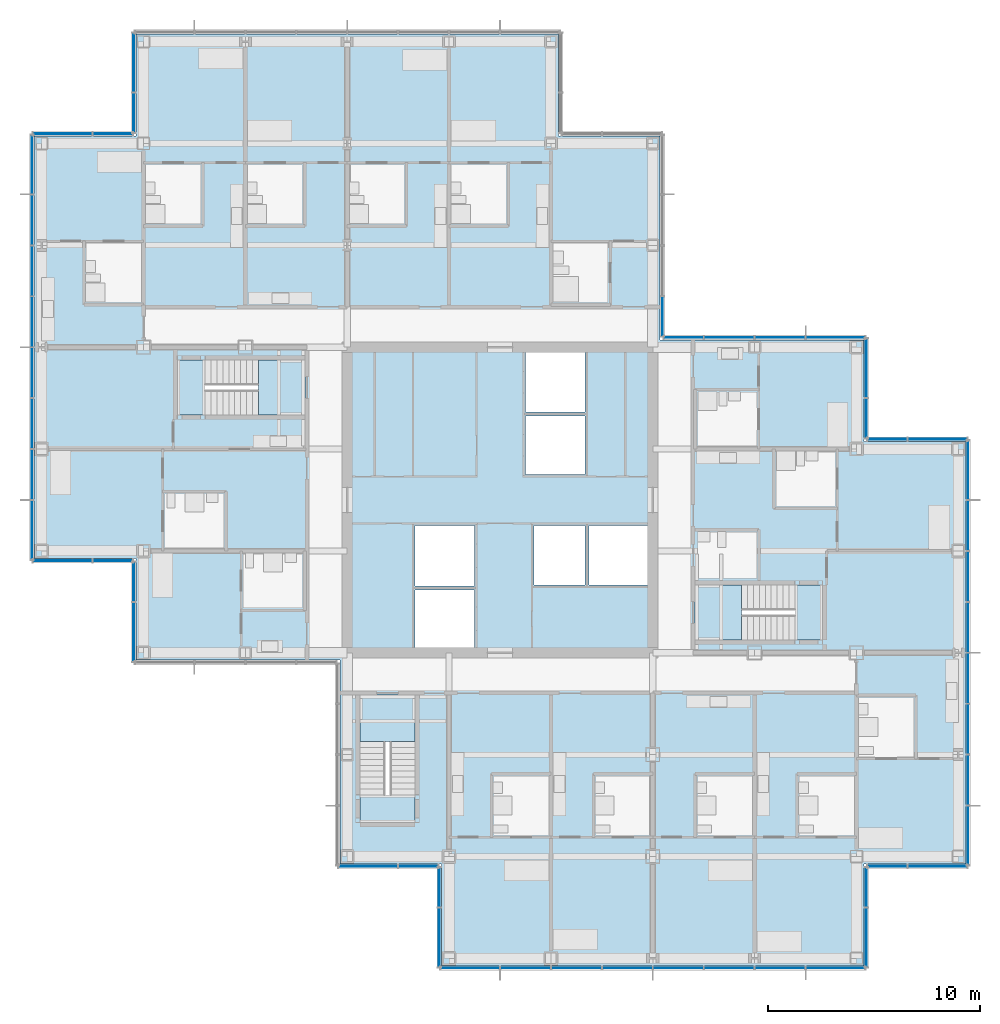
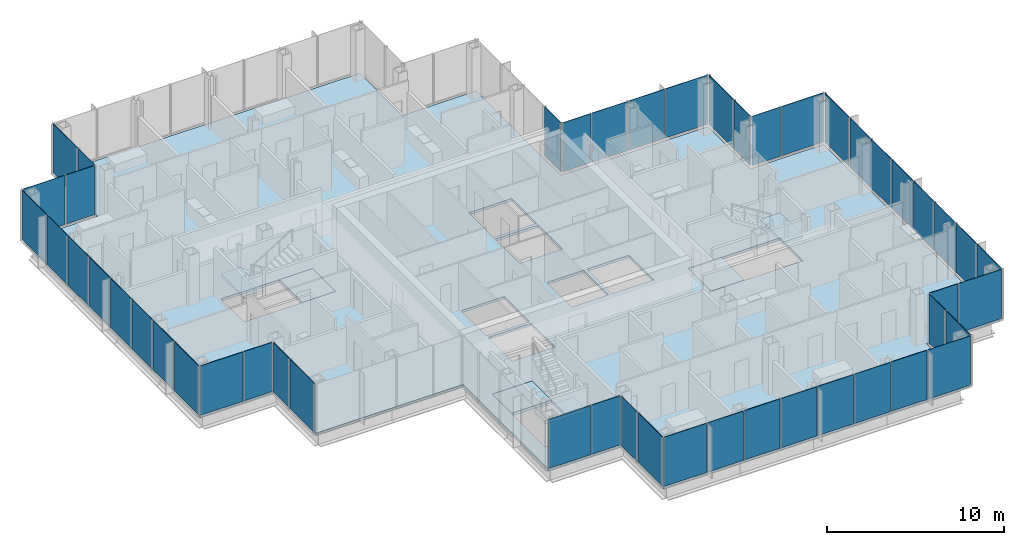
# One storey, part 12 of 20: 49 plates, 7 slabs, 18 elements without a shape of their own.
"""IFC4 building model written with IfcOpenShell, lengths in metres."""

import ifcopenshell
import ifcopenshell.guid

model = None  # the IFC model being written
_history = None  # IfcOwnerHistory: only IFC2X3 demands one
_inside = {}  # id of a spatial element -> (the spatial element, [elements in it])
_under = {}  # id of a project, library or spatial element -> (it, [spatial elements below it])
_declared = {}  # id of a project -> (the project, [libraries it declares])
_typed = {}  # id of a type object -> (the type object, [elements of that type])
_made_of = {}  # id of a material, layer set ... -> (it, [elements and type objects made of it])


def new_model(schema):
    """Start an empty IFC model of exactly this schema.

    Asked for "IFC4X3", IfcOpenShell would pick the latest addendum, in which some entities
    have other attributes; the version numbers below select the first issue.
    IFC2X3 requires an IfcOwnerHistory on every rooted entity: one is made here for all.
    """
    global model, _history
    if schema == "IFC4X3":
        model = ifcopenshell.file(schema_version=(4, 3, 0, 0))
    else:
        model = ifcopenshell.file(schema=schema)
    _inside.clear()
    _under.clear()
    _declared.clear()
    _typed.clear()
    _made_of.clear()
    _history = None
    if model.schema == "IFC2X3":
        org = make("IfcOrganization", Name="unknown")
        user = make(
            "IfcPersonAndOrganization",
            ThePerson=make("IfcPerson", FamilyName="unknown"),
            TheOrganization=org,
        )
        app = make(
            "IfcApplication",
            ApplicationDeveloper=org,
            Version="unknown",
            ApplicationFullName="unknown",
            ApplicationIdentifier="unknown",
        )
        _history = make(
            "IfcOwnerHistory",
            OwningUser=user,
            OwningApplication=app,
            ChangeAction="ADDED",
            CreationDate=0,
        )
    return model


def make(cls, **values):
    """One entity of the class cls with the attributes given. An attribute that is None is left unset."""
    return model.create_entity(
        cls, **{name: value for name, value in values.items() if value is not None}
    )


def rooted(cls, **values):
    """An entity with a GlobalId (a new one), such as an element, a storey or a relation."""
    return make(cls, GlobalId=ifcopenshell.guid.new(), OwnerHistory=_history, **values)


def si_unit(unit_type, name, prefix=None):
    """IfcSIUnit, for example si_unit("LENGTHUNIT", "METRE", prefix="MILLI")."""
    return make("IfcSIUnit", UnitType=unit_type, Prefix=prefix, Name=name)


def assignment(units):
    """IfcUnitAssignment: the units of a project."""
    return None if units is None else make("IfcUnitAssignment", Units=units)


def point(xyz):
    """IfcCartesianPoint."""
    return None if xyz is None else make("IfcCartesianPoint", Coordinates=xyz)


def direction(xyz):
    """IfcDirection."""
    return None if xyz is None else make("IfcDirection", DirectionRatios=xyz)


def frame(location, z_axis=None, x_axis=None):
    """IfcAxis2Placement3D, a coordinate frame: its origin and axes. An axis left out is left unset."""
    return make(
        "IfcAxis2Placement3D",
        Location=point(location),
        Axis=direction(z_axis),
        RefDirection=direction(x_axis),
    )


def frame_2d(location, x_axis=None):
    """IfcAxis2Placement2D, a coordinate frame in the plane: its origin and x axis."""
    return make(
        "IfcAxis2Placement2D", Location=point(location), RefDirection=direction(x_axis)
    )


def origin():
    """The frame at (0, 0, 0) with its axes left unset."""
    return frame((0.0, 0.0, 0.0))


def origin_2d():
    """The frame at (0, 0) in the plane with its x axis left unset."""
    return frame_2d((0.0, 0.0))


def place(relative_to, where):
    """IfcLocalPlacement: puts the frame where relative to a parent placement (None: the world)."""
    return make(
        "IfcLocalPlacement", PlacementRelTo=relative_to, RelativePlacement=where
    )


def context(
    kind, dimensions, precision=None, world=None, true_north=None, identifier=None
):
    """IfcGeometricRepresentationContext, for example the 3D "Model" context."""
    return make(
        "IfcGeometricRepresentationContext",
        ContextIdentifier=identifier,
        ContextType=kind,
        CoordinateSpaceDimension=dimensions,
        Precision=precision,
        WorldCoordinateSystem=world,
        TrueNorth=true_north,
    )


def subcontext(parent, identifier, kind, view, scale=None):
    """IfcGeometricRepresentationSubContext, for example "Body" below "Model"."""
    return make(
        "IfcGeometricRepresentationSubContext",
        ContextIdentifier=identifier,
        ContextType=kind,
        ParentContext=parent,
        TargetScale=scale,
        TargetView=view,
    )


def project(units=None, contexts=None):
    """IfcProject with its units and contexts."""
    return rooted(
        "IfcProject",
        Name="project",
        RepresentationContexts=contexts,
        UnitsInContext=assignment(units),
    )


def spatial(cls, under=None, at=None, **own):
    """A site, building, storey or space (cls), placed at a placement, below another one or the project."""
    s = rooted(cls, ObjectPlacement=at, **own)
    if under is not None:
        _under.setdefault(under.id(), (under, []))[1].append(s)
    return s


def polyline(points):
    """IfcPolyline through the points."""
    return make("IfcPolyline", Points=[point(p) for p in points])


def profile(cls, at=None, kind="AREA", **sizes):
    """A parametric profile (cls). Its sizes go by their IFC names, for example OverallWidth=200.0."""
    return make(cls, ProfileType=kind, Position=at, **sizes)


def rectangle(**sizes):
    """IfcRectangleProfileDef."""
    return profile("IfcRectangleProfileDef", **sizes)


def outline(outer, holes=None, kind="AREA"):
    """IfcArbitraryClosedProfileDef: a profile drawn as a closed curve; with holes, ...WithVoids."""
    if holes is None:
        return make("IfcArbitraryClosedProfileDef", ProfileType=kind, OuterCurve=outer)
    return make(
        "IfcArbitraryProfileDefWithVoids",
        ProfileType=kind,
        OuterCurve=outer,
        InnerCurves=holes,
    )


def extrude(swept, where, along, depth):
    """IfcExtrudedAreaSolid: the profile swept, set in the frame where, extruded along a direction by depth."""
    return make(
        "IfcExtrudedAreaSolid",
        SweptArea=swept,
        Position=where,
        ExtrudedDirection=direction(along),
        Depth=depth,
    )


def shape(context_of_items, identifier, shape_type, items):
    """IfcShapeRepresentation: the items that make up one representation, for example the "Body"."""
    return make(
        "IfcShapeRepresentation",
        ContextOfItems=context_of_items,
        RepresentationIdentifier=identifier,
        RepresentationType=shape_type,
        Items=items,
    )


def material(Name=None, Category=None):
    """IfcMaterial."""
    return make("IfcMaterial", Name=Name, Category=Category)


def layer(
    of_material, thickness, ventilated=None, Name=None, Category=None, Priority=None
):
    """IfcMaterialLayer: one layer of a wall or slab, of a material (None: an air gap)."""
    return make(
        "IfcMaterialLayer",
        Material=of_material,
        LayerThickness=thickness,
        IsVentilated=ventilated,
        Name=Name,
        Category=Category,
        Priority=Priority,
    )


def layer_set(layers, Name=None):
    """IfcMaterialLayerSet."""
    return make("IfcMaterialLayerSet", MaterialLayers=layers, LayerSetName=Name)


def made_of(thing, what):
    """Note that an element or type object is made of a material, layer set ...; save() writes the relation."""
    if what is not None:
        _made_of.setdefault(what.id(), (what, []))[1].append(thing)
    return thing


def type_object(cls, material=None, **own):
    """A type object (cls), such as IfcWallType, which elements share."""
    return made_of(rooted(cls, **own), material)


def element(
    cls,
    number,
    at=None,
    inside=None,
    cuts=None,
    type_object=None,
    material=None,
    context=None,
    identifier="Body",
    shape_type=None,
    held_by="IfcProductDefinitionShape",
    body=None,
    shapes=None,
    **own,
):
    """One element of the class cls, such as IfcWall. Its Tag is "e" and its number.

    at: its placement. inside: the storey or other place that contains it. cuts: it is an
    opening in that element (IfcRelVoidsElement). A single representation is given by context,
    identifier, shape_type and body (its items); several are given by shapes. held_by: the class
    of the entity that holds the representations. save() writes the other relations.
    """
    e = rooted(cls, Tag="e%d" % number, ObjectPlacement=at, **own)
    if body is not None:
        shapes = [shape(context, identifier, shape_type, body)]
    if shapes is not None:
        e.Representation = make(held_by, Representations=shapes)
    if inside is not None:
        _inside.setdefault(inside.id(), (inside, []))[1].append(e)
    if cuts is not None:
        rooted(
            "IfcRelVoidsElement", RelatingBuildingElement=cuts, RelatedOpeningElement=e
        )
    if type_object is not None:
        _typed.setdefault(type_object.id(), (type_object, []))[1].append(e)
    return made_of(e, material)


def aggregate(whole, parts):
    """IfcRelAggregates: a whole, such as a stair, and the parts it consists of."""
    return rooted("IfcRelAggregates", RelatingObject=whole, RelatedObjects=parts)


def save(model, path):
    """Write the relations noted so far, then the file.

    IfcRelAggregates (storeys below a building ...), IfcRelContainedInSpatialStructure (elements
    in a storey), IfcRelDefinesByType, IfcRelAssociatesMaterial and IfcRelDeclares: one each for
    every whole, place, type object, material and project.
    """
    for whole, parts in _under.values():
        aggregate(whole, parts)
    for where, things in _inside.values():
        rooted(
            "IfcRelContainedInSpatialStructure",
            RelatedElements=things,
            RelatingStructure=where,
        )
    for kind, things in _typed.values():
        rooted("IfcRelDefinesByType", RelatedObjects=things, RelatingType=kind)
    for what, things in _made_of.values():
        rooted("IfcRelAssociatesMaterial", RelatedObjects=things, RelatingMaterial=what)
    for by, libraries in _declared.values():
        rooted("IfcRelDeclares", RelatingContext=by, RelatedDefinitions=libraries)
    model.write(path)


model = new_model("IFC4")

# Units and contexts
model_context = context("Model", 3, precision=1e-05, world=origin(), true_north=direction((0.0, 1.0)))
body_context = subcontext(model_context, "Body", "Model", "MODEL_VIEW")
ifc_project = project(units=[si_unit("LENGTHUNIT", "METRE"), si_unit("AREAUNIT", "SQUARE_METRE"), si_unit("VOLUMEUNIT", "CUBIC_METRE"), si_unit("PLANEANGLEUNIT", "RADIAN"), si_unit("MASSUNIT", "GRAM", prefix="KILO")], contexts=[model_context])

# Site, building, storey
site_placement = place(None, origin())
site = spatial("IfcSite", under=ifc_project, at=site_placement, CompositionType="ELEMENT")
building_placement = place(site_placement, origin())
building = spatial("IfcBuilding", under=site, at=building_placement, Name="Kvirike Care Tower", CompositionType="ELEMENT")
storey_placement = place(building_placement, frame((0.0, 0.0, 91.0)))
storey = spatial("IfcBuildingStorey", under=building, at=storey_placement, Name="L24", CompositionType="ELEMENT", Elevation=91.0)

# Slab
ifc_material_1 = material(Name="Concrete C35/45", Category="concrete")
ifc_layer_1 = layer(ifc_material_1, 0.169921875)
ifc_layer_set_1 = layer_set([ifc_layer_1], Name="FLOOR SLAB 170")
slab_type_1 = type_object("IfcSlabType", Name="FLOOR SLAB 170", PredefinedType="FLOOR", material=ifc_layer_set_1)
slab_1_placement = place(storey_placement, frame((0.0, 0.0, -0.169921875)))
element("IfcSlab", 1, at=slab_1_placement, inside=storey, type_object=slab_type_1, Name="Floor slab L24", PredefinedType="FLOOR", context=body_context, shape_type="SweptSolid", body=[
    extrude(outline(polyline([(43.550048828125, 18.85009765625), (43.550048828125, 38.75), (38.75, 38.75), (38.75, 43.550048828125), (29.14990234375, 43.550048828125), (29.14990234375, 53.14990234375), (24.35009765625, 53.14990234375), (24.35009765625, 57.949951171875), (4.449951171875, 57.949951171875), (4.449951171875, 53.14990234375), (-0.35009765625, 53.14990234375), (-0.35009765625, 33.25), (4.449951171875, 33.25), (4.449951171875, 28.449951171875), (14.050048828125, 28.449951171875), (14.050048828125, 18.85009765625), (18.85009765625, 18.85009765625), (18.85009765625, 14.050048828125), (38.75, 14.050048828125), (38.75, 18.85009765625), (43.550048828125, 18.85009765625)]), holes=[polyline([(17.60009765625, 29.050048828125), (17.60009765625, 31.75), (20.39990234375, 31.75), (20.39990234375, 29.050048828125), (17.60009765625, 29.050048828125)]), polyline([(17.60009765625, 31.949951171875), (17.60009765625, 34.800048828125), (20.39990234375, 34.800048828125), (20.39990234375, 31.949951171875), (17.60009765625, 31.949951171875)]), polyline([(22.800048828125, 37.199951171875), (22.800048828125, 39.949951171875), (25.60009765625, 39.949951171875), (25.60009765625, 37.199951171875), (22.800048828125, 37.199951171875)]), polyline([(22.800048828125, 40.14990234375), (22.800048828125, 42.949951171875), (25.60009765625, 42.949951171875), (25.60009765625, 40.14990234375), (22.800048828125, 40.14990234375)]), polyline([(23.199951171875, 32.0), (23.199951171875, 34.800048828125), (25.60009765625, 34.800048828125), (25.60009765625, 32.0), (23.199951171875, 32.0)]), polyline([(25.800048828125, 32.0), (25.800048828125, 34.800048828125), (28.550048828125, 34.800048828125), (28.550048828125, 32.0), (25.800048828125, 32.0)]), polyline([(12.39990234375, 42.60009765625), (12.39990234375, 40.0), (6.39990234375, 40.0), (6.39990234375, 42.60009765625), (12.39990234375, 42.60009765625)]), polyline([(30.800048828125, 29.39990234375), (30.800048828125, 32.0), (36.800048828125, 32.0), (36.800048828125, 29.39990234375), (30.800048828125, 29.39990234375)]), polyline([(15.0, 26.800048828125), (17.60009765625, 26.800048828125), (17.60009765625, 20.800048828125), (15.0, 20.800048828125), (15.0, 26.800048828125)])]), origin(), (0.0, 0.0, 1.0), 0.169921875),
])

# Stair, slabs
ifc_material_2 = material(Name="Concrete C35/45", Category="concrete")
stair_type = type_object("IfcStairType", Name="STAIR 20 RISERS", PredefinedType="HALF_TURN_STAIR", material=ifc_material_2)
stair_1_placement = place(storey_placement, origin())
stair_1 = element("IfcStair", 2, at=stair_1_placement, inside=storey, type_object=stair_type, Name="Stair 1 L24", PredefinedType="HALF_TURN_STAIR")
ifc_material_3 = material(Name="Concrete C35/45", Category="concrete")
ifc_layer_2 = layer(ifc_material_3, 0.199951171875)
ifc_layer_set_2 = layer_set([ifc_layer_2], Name="STAIR LANDING 200")
slab_type_2 = type_object("IfcSlabType", Name="STAIR LANDING 200", PredefinedType="LANDING", material=ifc_layer_set_2)
slab_2_placement = place(storey_placement, frame((0.0, 0.0, -0.199951171875)))
slab_2 = element("IfcSlab", 3, at=slab_2_placement, type_object=slab_type_2, Name="Stair S1 floor landing L24", PredefinedType="LANDING", context=body_context, shape_type="SweptSolid", body=[
    extrude(outline(polyline([(10.219970703125, 42.60009765625), (10.219970703125, 40.0), (12.39990234375, 40.0), (12.39990234375, 42.60009765625), (10.219970703125, 42.60009765625)])), origin(), (0.0, 0.0, 1.0), 0.199951171875),
])
slab_3_placement = place(storey_placement, frame((0.0, 0.0, 1.550048828125)))
slab_3 = element("IfcSlab", 4, at=slab_3_placement, type_object=slab_type_2, Name="Stair S1 half landing L24-L25", PredefinedType="LANDING", context=body_context, shape_type="SweptSolid", body=[
    extrude(outline(polyline([(6.39990234375, 42.60009765625), (6.39990234375, 40.0), (7.699951171875, 40.0), (7.699951171875, 42.60009765625), (6.39990234375, 42.60009765625)])), origin(), (0.0, 0.0, 1.0), 0.199951171875),
])
aggregate(stair_1, [slab_2, slab_3])

stair_2_placement = place(storey_placement, origin())
stair_2 = element("IfcStair", 5, at=stair_2_placement, inside=storey, type_object=stair_type, Name="Stair 2 L24", PredefinedType="HALF_TURN_STAIR")
slab_4_placement = place(storey_placement, frame((0.0, 0.0, -0.199951171875)))
slab_4 = element("IfcSlab", 6, at=slab_4_placement, type_object=slab_type_2, Name="Stair S2 floor landing L24", PredefinedType="LANDING", context=body_context, shape_type="SweptSolid", body=[
    extrude(outline(polyline([(32.97998046875, 29.39990234375), (32.97998046875, 32.0), (30.800048828125, 32.0), (30.800048828125, 29.39990234375), (32.97998046875, 29.39990234375)])), origin(), (0.0, 0.0, 1.0), 0.199951171875),
])
slab_5_placement = place(storey_placement, frame((0.0, 0.0, 1.550048828125)))
slab_5 = element("IfcSlab", 7, at=slab_5_placement, type_object=slab_type_2, Name="Stair S2 half landing L24-L25", PredefinedType="LANDING", context=body_context, shape_type="SweptSolid", body=[
    extrude(outline(polyline([(36.800048828125, 29.39990234375), (36.800048828125, 32.0), (35.5, 32.0), (35.5, 29.39990234375), (36.800048828125, 29.39990234375)])), origin(), (0.0, 0.0, 1.0), 0.199951171875),
])
aggregate(stair_2, [slab_4, slab_5])

stair_3_placement = place(storey_placement, origin())
stair_3 = element("IfcStair", 8, at=stair_3_placement, inside=storey, type_object=stair_type, Name="Stair 5 L24", PredefinedType="HALF_TURN_STAIR")
slab_6_placement = place(storey_placement, frame((0.0, 0.0, -0.199951171875)))
slab_6 = element("IfcSlab", 9, at=slab_6_placement, type_object=slab_type_2, Name="Stair S5 floor landing L24", PredefinedType="LANDING", context=body_context, shape_type="SweptSolid", body=[
    extrude(outline(polyline([(15.0, 24.6201171875), (17.60009765625, 24.6201171875), (17.60009765625, 26.800048828125), (15.0, 26.800048828125), (15.0, 24.6201171875)])), origin(), (0.0, 0.0, 1.0), 0.199951171875),
])
slab_7_placement = place(storey_placement, frame((0.0, 0.0, 1.550048828125)))
slab_7 = element("IfcSlab", 10, at=slab_7_placement, type_object=slab_type_2, Name="Stair S5 half landing L24-L25", PredefinedType="LANDING", context=body_context, shape_type="SweptSolid", body=[
    extrude(outline(polyline([(15.0, 20.800048828125), (17.60009765625, 20.800048828125), (17.60009765625, 22.10009765625), (15.0, 22.10009765625), (15.0, 20.800048828125)])), origin(), (0.0, 0.0, 1.0), 0.199951171875),
])
aggregate(stair_3, [slab_6, slab_7])

# Curtain wall, plates
ifc_material_4 = material(Name="Anodised aluminium stick system", Category="aluminium")
curtain_wall_type = type_object("IfcCurtainWallType", Name="CW-B STICK CURTAIN WALL", PredefinedType="NOTDEFINED", material=ifc_material_4)
curtain_wall_1_placement = place(storey_placement, origin())
curtain_wall_1 = element("IfcCurtainWall", 11, at=curtain_wall_1_placement, inside=storey, type_object=curtain_wall_type, Name="Curtain wall L24 face 1", PredefinedType="NOTDEFINED")
ifc_material_5 = material(Name="Tinted double glazed unit", Category="glass")
ifc_layer_3 = layer(ifc_material_5, 0.035888671875)
ifc_layer_set_3 = layer_set([ifc_layer_3], Name="TINTED VISION PANEL 36")
plate_type = type_object("IfcPlateType", Name="TINTED VISION PANEL 36", PredefinedType="CURTAIN_PANEL", material=ifc_layer_set_3)
plate_1_placement = place(storey_placement, frame((43.659912109375, 20.186279296875, 0.10009765625), z_axis=(0.0, 0.0, 1.0), x_axis=(0.0, 1.0, 0.0)))
plate_1 = element("IfcPlate", 12, at=plate_1_placement, type_object=plate_type, Name="CW-B panel L24 face 1.1", PredefinedType="CURTAIN_PANEL", context=body_context, shape_type="SweptSolid", body=[
    extrude(rectangle(XDim=2.762451171875, YDim=0.035888671875, at=origin_2d()), origin(), (0.0, 0.0, 1.0), 3.39990234375),
])
plate_2_placement = place(storey_placement, frame((43.659912109375, 22.800048828125, 0.10009765625), z_axis=(0.0, 0.0, 1.0), x_axis=(0.0, 1.0, 0.0)))
plate_2 = element("IfcPlate", 13, at=plate_2_placement, type_object=plate_type, Name="CW-B panel L24 face 1.2", PredefinedType="CURTAIN_PANEL", context=body_context, shape_type="SweptSolid", body=[
    extrude(rectangle(XDim=2.3349609375, YDim=0.035888671875, at=origin_2d()), origin(), (0.0, 0.0, 1.0), 3.39990234375),
])
plate_3_placement = place(storey_placement, frame((43.659912109375, 25.199951171875, 0.10009765625), z_axis=(0.0, 0.0, 1.0), x_axis=(0.0, 1.0, 0.0)))
plate_3 = element("IfcPlate", 14, at=plate_3_placement, type_object=plate_type, Name="CW-B panel L24 face 1.3", PredefinedType="CURTAIN_PANEL", context=body_context, shape_type="SweptSolid", body=[
    extrude(rectangle(XDim=2.3349609375, YDim=0.035888671875, at=origin_2d()), origin(), (0.0, 0.0, 1.0), 3.39990234375),
])
plate_4_placement = place(storey_placement, frame((43.659912109375, 27.60009765625, 0.10009765625), z_axis=(0.0, 0.0, 1.0), x_axis=(0.0, 1.0, 0.0)))
plate_4 = element("IfcPlate", 15, at=plate_4_placement, type_object=plate_type, Name="CW-B panel L24 face 1.4", PredefinedType="CURTAIN_PANEL", context=body_context, shape_type="SweptSolid", body=[
    extrude(rectangle(XDim=2.3349609375, YDim=0.035888671875, at=origin_2d()), origin(), (0.0, 0.0, 1.0), 3.39990234375),
])
plate_5_placement = place(storey_placement, frame((43.659912109375, 30.0, 0.10009765625), z_axis=(0.0, 0.0, 1.0), x_axis=(0.0, 1.0, 0.0)))
plate_5 = element("IfcPlate", 16, at=plate_5_placement, type_object=plate_type, Name="CW-B panel L24 face 1.5", PredefinedType="CURTAIN_PANEL", context=body_context, shape_type="SweptSolid", body=[
    extrude(rectangle(XDim=2.3349609375, YDim=0.035888671875, at=origin_2d()), origin(), (0.0, 0.0, 1.0), 3.39990234375),
])
plate_6_placement = place(storey_placement, frame((43.659912109375, 32.39990234375, 0.10009765625), z_axis=(0.0, 0.0, 1.0), x_axis=(0.0, 1.0, 0.0)))
plate_6 = element("IfcPlate", 17, at=plate_6_placement, type_object=plate_type, Name="CW-B panel L24 face 1.6", PredefinedType="CURTAIN_PANEL", context=body_context, shape_type="SweptSolid", body=[
    extrude(rectangle(XDim=2.3349609375, YDim=0.035888671875, at=origin_2d()), origin(), (0.0, 0.0, 1.0), 3.39990234375),
])
plate_7_placement = place(storey_placement, frame((43.659912109375, 34.800048828125, 0.10009765625), z_axis=(0.0, 0.0, 1.0), x_axis=(0.0, 1.0, 0.0)))
plate_7 = element("IfcPlate", 18, at=plate_7_placement, type_object=plate_type, Name="CW-B panel L24 face 1.7", PredefinedType="CURTAIN_PANEL", context=body_context, shape_type="SweptSolid", body=[
    extrude(rectangle(XDim=2.3349609375, YDim=0.035888671875, at=origin_2d()), origin(), (0.0, 0.0, 1.0), 3.39990234375),
])
plate_8_placement = place(storey_placement, frame((43.659912109375, 37.413818359375, 0.10009765625), z_axis=(0.0, 0.0, 1.0), x_axis=(0.0, 1.0, 0.0)))
plate_8 = element("IfcPlate", 19, at=plate_8_placement, type_object=plate_type, Name="CW-B panel L24 face 1.8", PredefinedType="CURTAIN_PANEL", context=body_context, shape_type="SweptSolid", body=[
    extrude(rectangle(XDim=2.762451171875, YDim=0.035888671875, at=origin_2d()), origin(), (0.0, 0.0, 1.0), 3.39990234375),
])
aggregate(curtain_wall_1, [plate_1, plate_2, plate_3, plate_4, plate_5, plate_6, plate_7, plate_8])

curtain_wall_2_placement = place(storey_placement, origin())
curtain_wall_2 = element("IfcCurtainWall", 20, at=curtain_wall_2_placement, inside=storey, type_object=curtain_wall_type, Name="Curtain wall L24 face 2", PredefinedType="NOTDEFINED")
plate_9_placement = place(storey_placement, frame((42.2138671875, 38.860107421875, 0.10009765625), z_axis=(0.0, 0.0, 1.0), x_axis=(-1.0, 0.0, 0.0)))
plate_9 = element("IfcPlate", 21, at=plate_9_placement, type_object=plate_type, Name="CW-B panel L24 face 2.1", PredefinedType="CURTAIN_PANEL", context=body_context, shape_type="SweptSolid", body=[
    extrude(rectangle(XDim=2.762451171875, YDim=0.035888671875, at=origin_2d()), origin(), (0.0, 0.0, 1.0), 3.39990234375),
])
plate_10_placement = place(storey_placement, frame((39.84619140625, 38.860107421875, 0.10009765625), z_axis=(0.0, 0.0, 1.0), x_axis=(-1.0, 0.0, 0.0)))
plate_10 = element("IfcPlate", 22, at=plate_10_placement, type_object=plate_type, Name="CW-B panel L24 face 2.2", PredefinedType="CURTAIN_PANEL", context=body_context, shape_type="SweptSolid", body=[
    extrude(rectangle(XDim=1.842529296875, YDim=0.035888671875, at=origin_2d()), origin(), (0.0, 0.0, 1.0), 3.39990234375),
])
aggregate(curtain_wall_2, [plate_9, plate_10])

curtain_wall_3_placement = place(storey_placement, origin())
curtain_wall_3 = element("IfcCurtainWall", 23, at=curtain_wall_3_placement, inside=storey, type_object=curtain_wall_type, Name="Curtain wall L24 face 3", PredefinedType="NOTDEFINED")
plate_11_placement = place(storey_placement, frame((38.860107421875, 39.84619140625, 0.10009765625), z_axis=(0.0, 0.0, 1.0), x_axis=(0.0, 1.0, 0.0)))
plate_11 = element("IfcPlate", 24, at=plate_11_placement, type_object=plate_type, Name="CW-B panel L24 face 3.1", PredefinedType="CURTAIN_PANEL", context=body_context, shape_type="SweptSolid", body=[
    extrude(rectangle(XDim=1.842529296875, YDim=0.035888671875, at=origin_2d()), origin(), (0.0, 0.0, 1.0), 3.39990234375),
])
plate_12_placement = place(storey_placement, frame((38.860107421875, 42.2138671875, 0.10009765625), z_axis=(0.0, 0.0, 1.0), x_axis=(0.0, 1.0, 0.0)))
plate_12 = element("IfcPlate", 25, at=plate_12_placement, type_object=plate_type, Name="CW-B panel L24 face 3.2", PredefinedType="CURTAIN_PANEL", context=body_context, shape_type="SweptSolid", body=[
    extrude(rectangle(XDim=2.762451171875, YDim=0.035888671875, at=origin_2d()), origin(), (0.0, 0.0, 1.0), 3.39990234375),
])
aggregate(curtain_wall_3, [plate_11, plate_12])

curtain_wall_4_placement = place(storey_placement, origin())
curtain_wall_4 = element("IfcCurtainWall", 26, at=curtain_wall_4_placement, inside=storey, type_object=curtain_wall_type, Name="Curtain wall L24 face 4", PredefinedType="NOTDEFINED")
plate_13_placement = place(storey_placement, frame((37.413818359375, 43.659912109375, 0.10009765625), z_axis=(0.0, 0.0, 1.0), x_axis=(-1.0, 0.0, 0.0)))
plate_13 = element("IfcPlate", 27, at=plate_13_placement, type_object=plate_type, Name="CW-B panel L24 face 4.1", PredefinedType="CURTAIN_PANEL", context=body_context, shape_type="SweptSolid", body=[
    extrude(rectangle(XDim=2.762451171875, YDim=0.035888671875, at=origin_2d()), origin(), (0.0, 0.0, 1.0), 3.39990234375),
])
plate_14_placement = place(storey_placement, frame((34.800048828125, 43.659912109375, 0.10009765625), z_axis=(0.0, 0.0, 1.0), x_axis=(-1.0, 0.0, 0.0)))
plate_14 = element("IfcPlate", 28, at=plate_14_placement, type_object=plate_type, Name="CW-B panel L24 face 4.2", PredefinedType="CURTAIN_PANEL", context=body_context, shape_type="SweptSolid", body=[
    extrude(rectangle(XDim=2.3349609375, YDim=0.035888671875, at=origin_2d()), origin(), (0.0, 0.0, 1.0), 3.39990234375),
])
plate_15_placement = place(storey_placement, frame((32.39990234375, 43.659912109375, 0.10009765625), z_axis=(0.0, 0.0, 1.0), x_axis=(-1.0, 0.0, 0.0)))
plate_15 = element("IfcPlate", 29, at=plate_15_placement, type_object=plate_type, Name="CW-B panel L24 face 4.3", PredefinedType="CURTAIN_PANEL", context=body_context, shape_type="SweptSolid", body=[
    extrude(rectangle(XDim=2.3349609375, YDim=0.035888671875, at=origin_2d()), origin(), (0.0, 0.0, 1.0), 3.39990234375),
])
plate_16_placement = place(storey_placement, frame((30.246337890625, 43.659912109375, 0.10009765625), z_axis=(0.0, 0.0, 1.0), x_axis=(-1.0, 0.0, 0.0)))
plate_16 = element("IfcPlate", 30, at=plate_16_placement, type_object=plate_type, Name="CW-B panel L24 face 4.4", PredefinedType="CURTAIN_PANEL", context=body_context, shape_type="SweptSolid", body=[
    extrude(rectangle(XDim=1.842529296875, YDim=0.035888671875, at=origin_2d()), origin(), (0.0, 0.0, 1.0), 3.39990234375),
])
aggregate(curtain_wall_4, [plate_13, plate_14, plate_15, plate_16])

# Curtain wall, plate
curtain_wall_5_placement = place(storey_placement, origin())
curtain_wall_5 = element("IfcCurtainWall", 31, at=curtain_wall_5_placement, inside=storey, type_object=curtain_wall_type, Name="Curtain wall L24 face 5", PredefinedType="NOTDEFINED")
plate_17_placement = place(storey_placement, frame((29.260009765625, 44.646240234375, 0.10009765625), z_axis=(0.0, 0.0, 1.0), x_axis=(0.0, 1.0, 0.0)))
plate_17 = element("IfcPlate", 32, at=plate_17_placement, type_object=plate_type, Name="CW-B panel L24 face 5.1", PredefinedType="CURTAIN_PANEL", context=body_context, shape_type="SweptSolid", body=[
    extrude(rectangle(XDim=1.842529296875, YDim=0.035888671875, at=origin_2d()), origin(), (0.0, 0.0, 1.0), 3.39990234375),
])
aggregate(curtain_wall_5, [plate_17])

# Curtain wall, plates
curtain_wall_6_placement = place(storey_placement, origin())
curtain_wall_6 = element("IfcCurtainWall", 33, at=curtain_wall_6_placement, inside=storey, type_object=curtain_wall_type, Name="Curtain wall L24 face 9", PredefinedType="NOTDEFINED")
plate_18_placement = place(storey_placement, frame((4.340087890625, 56.61376953125, 0.10009765625), z_axis=(0.0, 0.0, 1.0), x_axis=(0.0, -1.0, 0.0)))
plate_18 = element("IfcPlate", 34, at=plate_18_placement, type_object=plate_type, Name="CW-B panel L24 face 9.1", PredefinedType="CURTAIN_PANEL", context=body_context, shape_type="SweptSolid", body=[
    extrude(rectangle(XDim=2.762451171875, YDim=0.035888671875, at=origin_2d()), origin(), (0.0, 0.0, 1.0), 3.39990234375),
])
plate_19_placement = place(storey_placement, frame((4.340087890625, 54.246337890625, 0.10009765625), z_axis=(0.0, 0.0, 1.0), x_axis=(0.0, -1.0, 0.0)))
plate_19 = element("IfcPlate", 35, at=plate_19_placement, type_object=plate_type, Name="CW-B panel L24 face 9.2", PredefinedType="CURTAIN_PANEL", context=body_context, shape_type="SweptSolid", body=[
    extrude(rectangle(XDim=1.842529296875, YDim=0.035888671875, at=origin_2d()), origin(), (0.0, 0.0, 1.0), 3.39990234375),
])
aggregate(curtain_wall_6, [plate_18, plate_19])

curtain_wall_7_placement = place(storey_placement, origin())
curtain_wall_7 = element("IfcCurtainWall", 36, at=curtain_wall_7_placement, inside=storey, type_object=curtain_wall_type, Name="Curtain wall L24 face 10", PredefinedType="NOTDEFINED")
plate_20_placement = place(storey_placement, frame((3.353759765625, 53.260009765625, 0.10009765625), z_axis=(0.0, 0.0, 1.0), x_axis=(-1.0, 0.0, 0.0)))
plate_20 = element("IfcPlate", 37, at=plate_20_placement, type_object=plate_type, Name="CW-B panel L24 face 10.1", PredefinedType="CURTAIN_PANEL", context=body_context, shape_type="SweptSolid", body=[
    extrude(rectangle(XDim=1.842529296875, YDim=0.035888671875, at=origin_2d()), origin(), (0.0, 0.0, 1.0), 3.39990234375),
])
plate_21_placement = place(storey_placement, frame((0.986328125, 53.260009765625, 0.10009765625), z_axis=(0.0, 0.0, 1.0), x_axis=(-1.0, 0.0, 0.0)))
plate_21 = element("IfcPlate", 38, at=plate_21_placement, type_object=plate_type, Name="CW-B panel L24 face 10.2", PredefinedType="CURTAIN_PANEL", context=body_context, shape_type="SweptSolid", body=[
    extrude(rectangle(XDim=2.762451171875, YDim=0.035888671875, at=origin_2d()), origin(), (0.0, 0.0, 1.0), 3.39990234375),
])
aggregate(curtain_wall_7, [plate_20, plate_21])

curtain_wall_8_placement = place(storey_placement, origin())
curtain_wall_8 = element("IfcCurtainWall", 39, at=curtain_wall_8_placement, inside=storey, type_object=curtain_wall_type, Name="Curtain wall L24 face 11", PredefinedType="NOTDEFINED")
plate_22_placement = place(storey_placement, frame((-0.4599609375, 51.813720703125, 0.10009765625), z_axis=(0.0, 0.0, 1.0), x_axis=(0.0, -1.0, 0.0)))
plate_22 = element("IfcPlate", 40, at=plate_22_placement, type_object=plate_type, Name="CW-B panel L24 face 11.1", PredefinedType="CURTAIN_PANEL", context=body_context, shape_type="SweptSolid", body=[
    extrude(rectangle(XDim=2.762451171875, YDim=0.035888671875, at=origin_2d()), origin(), (0.0, 0.0, 1.0), 3.39990234375),
])
plate_23_placement = place(storey_placement, frame((-0.4599609375, 49.199951171875, 0.10009765625), z_axis=(0.0, 0.0, 1.0), x_axis=(0.0, -1.0, 0.0)))
plate_23 = element("IfcPlate", 41, at=plate_23_placement, type_object=plate_type, Name="CW-B panel L24 face 11.2", PredefinedType="CURTAIN_PANEL", context=body_context, shape_type="SweptSolid", body=[
    extrude(rectangle(XDim=2.3349609375, YDim=0.035888671875, at=origin_2d()), origin(), (0.0, 0.0, 1.0), 3.39990234375),
])
plate_24_placement = place(storey_placement, frame((-0.4599609375, 46.800048828125, 0.10009765625), z_axis=(0.0, 0.0, 1.0), x_axis=(0.0, -1.0, 0.0)))
plate_24 = element("IfcPlate", 42, at=plate_24_placement, type_object=plate_type, Name="CW-B panel L24 face 11.3", PredefinedType="CURTAIN_PANEL", context=body_context, shape_type="SweptSolid", body=[
    extrude(rectangle(XDim=2.3349609375, YDim=0.035888671875, at=origin_2d()), origin(), (0.0, 0.0, 1.0), 3.39990234375),
])
plate_25_placement = place(storey_placement, frame((-0.4599609375, 44.39990234375, 0.10009765625), z_axis=(0.0, 0.0, 1.0), x_axis=(0.0, -1.0, 0.0)))
plate_25 = element("IfcPlate", 43, at=plate_25_placement, type_object=plate_type, Name="CW-B panel L24 face 11.4", PredefinedType="CURTAIN_PANEL", context=body_context, shape_type="SweptSolid", body=[
    extrude(rectangle(XDim=2.3349609375, YDim=0.035888671875, at=origin_2d()), origin(), (0.0, 0.0, 1.0), 3.39990234375),
])
plate_26_placement = place(storey_placement, frame((-0.4599609375, 42.0, 0.10009765625), z_axis=(0.0, 0.0, 1.0), x_axis=(0.0, -1.0, 0.0)))
plate_26 = element("IfcPlate", 44, at=plate_26_placement, type_object=plate_type, Name="CW-B panel L24 face 11.5", PredefinedType="CURTAIN_PANEL", context=body_context, shape_type="SweptSolid", body=[
    extrude(rectangle(XDim=2.3349609375, YDim=0.035888671875, at=origin_2d()), origin(), (0.0, 0.0, 1.0), 3.39990234375),
])
plate_27_placement = place(storey_placement, frame((-0.4599609375, 39.60009765625, 0.10009765625), z_axis=(0.0, 0.0, 1.0), x_axis=(0.0, -1.0, 0.0)))
plate_27 = element("IfcPlate", 45, at=plate_27_placement, type_object=plate_type, Name="CW-B panel L24 face 11.6", PredefinedType="CURTAIN_PANEL", context=body_context, shape_type="SweptSolid", body=[
    extrude(rectangle(XDim=2.3349609375, YDim=0.035888671875, at=origin_2d()), origin(), (0.0, 0.0, 1.0), 3.39990234375),
])
plate_28_placement = place(storey_placement, frame((-0.4599609375, 37.199951171875, 0.10009765625), z_axis=(0.0, 0.0, 1.0), x_axis=(0.0, -1.0, 0.0)))
plate_28 = element("IfcPlate", 46, at=plate_28_placement, type_object=plate_type, Name="CW-B panel L24 face 11.7", PredefinedType="CURTAIN_PANEL", context=body_context, shape_type="SweptSolid", body=[
    extrude(rectangle(XDim=2.3349609375, YDim=0.035888671875, at=origin_2d()), origin(), (0.0, 0.0, 1.0), 3.39990234375),
])
plate_29_placement = place(storey_placement, frame((-0.4599609375, 34.586181640625, 0.10009765625), z_axis=(0.0, 0.0, 1.0), x_axis=(0.0, -1.0, 0.0)))
plate_29 = element("IfcPlate", 47, at=plate_29_placement, type_object=plate_type, Name="CW-B panel L24 face 11.8", PredefinedType="CURTAIN_PANEL", context=body_context, shape_type="SweptSolid", body=[
    extrude(rectangle(XDim=2.762451171875, YDim=0.035888671875, at=origin_2d()), origin(), (0.0, 0.0, 1.0), 3.39990234375),
])
aggregate(curtain_wall_8, [plate_22, plate_23, plate_24, plate_25, plate_26, plate_27, plate_28, plate_29])

curtain_wall_9_placement = place(storey_placement, origin())
curtain_wall_9 = element("IfcCurtainWall", 48, at=curtain_wall_9_placement, inside=storey, type_object=curtain_wall_type, Name="Curtain wall L24 face 12", PredefinedType="NOTDEFINED")
plate_30_placement = place(storey_placement, frame((0.986328125, 33.139892578125, 0.10009765625), z_axis=(0.0, 0.0, 1.0), x_axis=(1.0, 0.0, 0.0)))
plate_30 = element("IfcPlate", 49, at=plate_30_placement, type_object=plate_type, Name="CW-B panel L24 face 12.1", PredefinedType="CURTAIN_PANEL", context=body_context, shape_type="SweptSolid", body=[
    extrude(rectangle(XDim=2.762451171875, YDim=0.035888671875, at=origin_2d()), origin(), (0.0, 0.0, 1.0), 3.39990234375),
])
plate_31_placement = place(storey_placement, frame((3.353759765625, 33.139892578125, 0.10009765625), z_axis=(0.0, 0.0, 1.0), x_axis=(1.0, 0.0, 0.0)))
plate_31 = element("IfcPlate", 50, at=plate_31_placement, type_object=plate_type, Name="CW-B panel L24 face 12.2", PredefinedType="CURTAIN_PANEL", context=body_context, shape_type="SweptSolid", body=[
    extrude(rectangle(XDim=1.842529296875, YDim=0.035888671875, at=origin_2d()), origin(), (0.0, 0.0, 1.0), 3.39990234375),
])
aggregate(curtain_wall_9, [plate_30, plate_31])

curtain_wall_10_placement = place(storey_placement, origin())
curtain_wall_10 = element("IfcCurtainWall", 51, at=curtain_wall_10_placement, inside=storey, type_object=curtain_wall_type, Name="Curtain wall L24 face 13", PredefinedType="NOTDEFINED")
plate_32_placement = place(storey_placement, frame((4.340087890625, 32.15380859375, 0.10009765625), z_axis=(0.0, 0.0, 1.0), x_axis=(0.0, -1.0, 0.0)))
plate_32 = element("IfcPlate", 52, at=plate_32_placement, type_object=plate_type, Name="CW-B panel L24 face 13.1", PredefinedType="CURTAIN_PANEL", context=body_context, shape_type="SweptSolid", body=[
    extrude(rectangle(XDim=1.842529296875, YDim=0.035888671875, at=origin_2d()), origin(), (0.0, 0.0, 1.0), 3.39990234375),
])
plate_33_placement = place(storey_placement, frame((4.340087890625, 29.7861328125, 0.10009765625), z_axis=(0.0, 0.0, 1.0), x_axis=(0.0, -1.0, 0.0)))
plate_33 = element("IfcPlate", 53, at=plate_33_placement, type_object=plate_type, Name="CW-B panel L24 face 13.2", PredefinedType="CURTAIN_PANEL", context=body_context, shape_type="SweptSolid", body=[
    extrude(rectangle(XDim=2.762451171875, YDim=0.035888671875, at=origin_2d()), origin(), (0.0, 0.0, 1.0), 3.39990234375),
])
aggregate(curtain_wall_10, [plate_32, plate_33])

curtain_wall_11_placement = place(storey_placement, origin())
curtain_wall_11 = element("IfcCurtainWall", 54, at=curtain_wall_11_placement, inside=storey, type_object=curtain_wall_type, Name="Curtain wall L24 face 16", PredefinedType="NOTDEFINED")
plate_34_placement = place(storey_placement, frame((15.38623046875, 18.739990234375, 0.10009765625), z_axis=(0.0, 0.0, 1.0), x_axis=(1.0, 0.0, 0.0)))
plate_34 = element("IfcPlate", 55, at=plate_34_placement, type_object=plate_type, Name="CW-B panel L24 face 16.1", PredefinedType="CURTAIN_PANEL", context=body_context, shape_type="SweptSolid", body=[
    extrude(rectangle(XDim=2.762451171875, YDim=0.035888671875, at=origin_2d()), origin(), (0.0, 0.0, 1.0), 3.39990234375),
])
plate_35_placement = place(storey_placement, frame((17.753662109375, 18.739990234375, 0.10009765625), z_axis=(0.0, 0.0, 1.0), x_axis=(1.0, 0.0, 0.0)))
plate_35 = element("IfcPlate", 56, at=plate_35_placement, type_object=plate_type, Name="CW-B panel L24 face 16.2", PredefinedType="CURTAIN_PANEL", context=body_context, shape_type="SweptSolid", body=[
    extrude(rectangle(XDim=1.842529296875, YDim=0.035888671875, at=origin_2d()), origin(), (0.0, 0.0, 1.0), 3.39990234375),
])
aggregate(curtain_wall_11, [plate_34, plate_35])

curtain_wall_12_placement = place(storey_placement, origin())
curtain_wall_12 = element("IfcCurtainWall", 57, at=curtain_wall_12_placement, inside=storey, type_object=curtain_wall_type, Name="Curtain wall L24 face 17", PredefinedType="NOTDEFINED")
plate_36_placement = place(storey_placement, frame((18.739990234375, 17.753662109375, 0.10009765625), z_axis=(0.0, 0.0, 1.0), x_axis=(0.0, -1.0, 0.0)))
plate_36 = element("IfcPlate", 58, at=plate_36_placement, type_object=plate_type, Name="CW-B panel L24 face 17.1", PredefinedType="CURTAIN_PANEL", context=body_context, shape_type="SweptSolid", body=[
    extrude(rectangle(XDim=1.842529296875, YDim=0.035888671875, at=origin_2d()), origin(), (0.0, 0.0, 1.0), 3.39990234375),
])
plate_37_placement = place(storey_placement, frame((18.739990234375, 15.38623046875, 0.10009765625), z_axis=(0.0, 0.0, 1.0), x_axis=(0.0, -1.0, 0.0)))
plate_37 = element("IfcPlate", 59, at=plate_37_placement, type_object=plate_type, Name="CW-B panel L24 face 17.2", PredefinedType="CURTAIN_PANEL", context=body_context, shape_type="SweptSolid", body=[
    extrude(rectangle(XDim=2.762451171875, YDim=0.035888671875, at=origin_2d()), origin(), (0.0, 0.0, 1.0), 3.39990234375),
])
aggregate(curtain_wall_12, [plate_36, plate_37])

curtain_wall_13_placement = place(storey_placement, origin())
curtain_wall_13 = element("IfcCurtainWall", 60, at=curtain_wall_13_placement, inside=storey, type_object=curtain_wall_type, Name="Curtain wall L24 face 18", PredefinedType="NOTDEFINED")
plate_38_placement = place(storey_placement, frame((20.186279296875, 13.93994140625, 0.10009765625), z_axis=(0.0, 0.0, 1.0), x_axis=(1.0, 0.0, 0.0)))
plate_38 = element("IfcPlate", 61, at=plate_38_placement, type_object=plate_type, Name="CW-B panel L24 face 18.1", PredefinedType="CURTAIN_PANEL", context=body_context, shape_type="SweptSolid", body=[
    extrude(rectangle(XDim=2.762451171875, YDim=0.035888671875, at=origin_2d()), origin(), (0.0, 0.0, 1.0), 3.39990234375),
])
plate_39_placement = place(storey_placement, frame((22.800048828125, 13.93994140625, 0.10009765625), z_axis=(0.0, 0.0, 1.0), x_axis=(1.0, 0.0, 0.0)))
plate_39 = element("IfcPlate", 62, at=plate_39_placement, type_object=plate_type, Name="CW-B panel L24 face 18.2", PredefinedType="CURTAIN_PANEL", context=body_context, shape_type="SweptSolid", body=[
    extrude(rectangle(XDim=2.3349609375, YDim=0.035888671875, at=origin_2d()), origin(), (0.0, 0.0, 1.0), 3.39990234375),
])
plate_40_placement = place(storey_placement, frame((25.199951171875, 13.93994140625, 0.10009765625), z_axis=(0.0, 0.0, 1.0), x_axis=(1.0, 0.0, 0.0)))
plate_40 = element("IfcPlate", 63, at=plate_40_placement, type_object=plate_type, Name="CW-B panel L24 face 18.3", PredefinedType="CURTAIN_PANEL", context=body_context, shape_type="SweptSolid", body=[
    extrude(rectangle(XDim=2.3349609375, YDim=0.035888671875, at=origin_2d()), origin(), (0.0, 0.0, 1.0), 3.39990234375),
])
plate_41_placement = place(storey_placement, frame((27.60009765625, 13.93994140625, 0.10009765625), z_axis=(0.0, 0.0, 1.0), x_axis=(1.0, 0.0, 0.0)))
plate_41 = element("IfcPlate", 64, at=plate_41_placement, type_object=plate_type, Name="CW-B panel L24 face 18.4", PredefinedType="CURTAIN_PANEL", context=body_context, shape_type="SweptSolid", body=[
    extrude(rectangle(XDim=2.3349609375, YDim=0.035888671875, at=origin_2d()), origin(), (0.0, 0.0, 1.0), 3.39990234375),
])
plate_42_placement = place(storey_placement, frame((30.0, 13.93994140625, 0.10009765625), z_axis=(0.0, 0.0, 1.0), x_axis=(1.0, 0.0, 0.0)))
plate_42 = element("IfcPlate", 65, at=plate_42_placement, type_object=plate_type, Name="CW-B panel L24 face 18.5", PredefinedType="CURTAIN_PANEL", context=body_context, shape_type="SweptSolid", body=[
    extrude(rectangle(XDim=2.3349609375, YDim=0.035888671875, at=origin_2d()), origin(), (0.0, 0.0, 1.0), 3.39990234375),
])
plate_43_placement = place(storey_placement, frame((32.39990234375, 13.93994140625, 0.10009765625), z_axis=(0.0, 0.0, 1.0), x_axis=(1.0, 0.0, 0.0)))
plate_43 = element("IfcPlate", 66, at=plate_43_placement, type_object=plate_type, Name="CW-B panel L24 face 18.6", PredefinedType="CURTAIN_PANEL", context=body_context, shape_type="SweptSolid", body=[
    extrude(rectangle(XDim=2.3349609375, YDim=0.035888671875, at=origin_2d()), origin(), (0.0, 0.0, 1.0), 3.39990234375),
])
plate_44_placement = place(storey_placement, frame((34.800048828125, 13.93994140625, 0.10009765625), z_axis=(0.0, 0.0, 1.0), x_axis=(1.0, 0.0, 0.0)))
plate_44 = element("IfcPlate", 67, at=plate_44_placement, type_object=plate_type, Name="CW-B panel L24 face 18.7", PredefinedType="CURTAIN_PANEL", context=body_context, shape_type="SweptSolid", body=[
    extrude(rectangle(XDim=2.3349609375, YDim=0.035888671875, at=origin_2d()), origin(), (0.0, 0.0, 1.0), 3.39990234375),
])
plate_45_placement = place(storey_placement, frame((37.413818359375, 13.93994140625, 0.10009765625), z_axis=(0.0, 0.0, 1.0), x_axis=(1.0, 0.0, 0.0)))
plate_45 = element("IfcPlate", 68, at=plate_45_placement, type_object=plate_type, Name="CW-B panel L24 face 18.8", PredefinedType="CURTAIN_PANEL", context=body_context, shape_type="SweptSolid", body=[
    extrude(rectangle(XDim=2.762451171875, YDim=0.035888671875, at=origin_2d()), origin(), (0.0, 0.0, 1.0), 3.39990234375),
])
aggregate(curtain_wall_13, [plate_38, plate_39, plate_40, plate_41, plate_42, plate_43, plate_44, plate_45])

curtain_wall_14_placement = place(storey_placement, origin())
curtain_wall_14 = element("IfcCurtainWall", 69, at=curtain_wall_14_placement, inside=storey, type_object=curtain_wall_type, Name="Curtain wall L24 face 19", PredefinedType="NOTDEFINED")
plate_46_placement = place(storey_placement, frame((38.860107421875, 15.38623046875, 0.10009765625), z_axis=(0.0, 0.0, 1.0), x_axis=(0.0, 1.0, 0.0)))
plate_46 = element("IfcPlate", 70, at=plate_46_placement, type_object=plate_type, Name="CW-B panel L24 face 19.1", PredefinedType="CURTAIN_PANEL", context=body_context, shape_type="SweptSolid", body=[
    extrude(rectangle(XDim=2.762451171875, YDim=0.035888671875, at=origin_2d()), origin(), (0.0, 0.0, 1.0), 3.39990234375),
])
plate_47_placement = place(storey_placement, frame((38.860107421875, 17.753662109375, 0.10009765625), z_axis=(0.0, 0.0, 1.0), x_axis=(0.0, 1.0, 0.0)))
plate_47 = element("IfcPlate", 71, at=plate_47_placement, type_object=plate_type, Name="CW-B panel L24 face 19.2", PredefinedType="CURTAIN_PANEL", context=body_context, shape_type="SweptSolid", body=[
    extrude(rectangle(XDim=1.842529296875, YDim=0.035888671875, at=origin_2d()), origin(), (0.0, 0.0, 1.0), 3.39990234375),
])
aggregate(curtain_wall_14, [plate_46, plate_47])

curtain_wall_15_placement = place(storey_placement, origin())
curtain_wall_15 = element("IfcCurtainWall", 72, at=curtain_wall_15_placement, inside=storey, type_object=curtain_wall_type, Name="Curtain wall L24 face 20", PredefinedType="NOTDEFINED")
plate_48_placement = place(storey_placement, frame((39.84619140625, 18.739990234375, 0.10009765625), z_axis=(0.0, 0.0, 1.0), x_axis=(1.0, 0.0, 0.0)))
plate_48 = element("IfcPlate", 73, at=plate_48_placement, type_object=plate_type, Name="CW-B panel L24 face 20.1", PredefinedType="CURTAIN_PANEL", context=body_context, shape_type="SweptSolid", body=[
    extrude(rectangle(XDim=1.842529296875, YDim=0.035888671875, at=origin_2d()), origin(), (0.0, 0.0, 1.0), 3.39990234375),
])
plate_49_placement = place(storey_placement, frame((42.2138671875, 18.739990234375, 0.10009765625), z_axis=(0.0, 0.0, 1.0), x_axis=(1.0, 0.0, 0.0)))
plate_49 = element("IfcPlate", 74, at=plate_49_placement, type_object=plate_type, Name="CW-B panel L24 face 20.2", PredefinedType="CURTAIN_PANEL", context=body_context, shape_type="SweptSolid", body=[
    extrude(rectangle(XDim=2.762451171875, YDim=0.035888671875, at=origin_2d()), origin(), (0.0, 0.0, 1.0), 3.39990234375),
])
aggregate(curtain_wall_15, [plate_48, plate_49])

save(model, "model.ifc")
